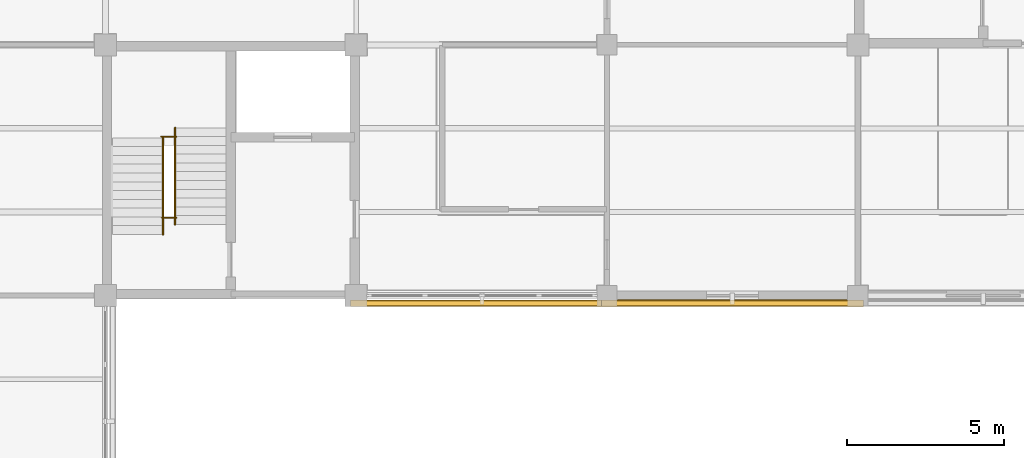
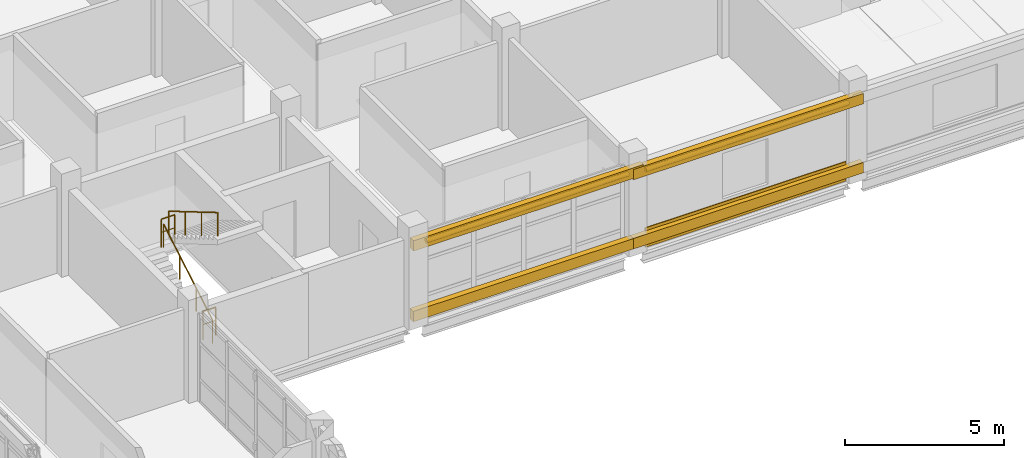
# One storey, part 85 of 92: 5 coverings, 4 railings, 2 shading devices.
"""IFC4 building model written with IfcOpenShell, lengths in metres."""

from ifc_helpers import new_model, si_unit, derived_unit, direction, frame, origin, origin_2d, place, context, subcontext, project, spatial, rectangle, circle, extrude, material, layer, layer_set, material_profile, profile_set, type_object, element, save


model = new_model("IFC4")

# Units and contexts
model_context = context("Model", 3, precision=1e-05, world=origin(), true_north=direction((0.0, 1.0)))
body_context = subcontext(model_context, "Body", "Model", "MODEL_VIEW")
ifc_project = project(units=[si_unit("LENGTHUNIT", "METRE"), si_unit("AREAUNIT", "SQUARE_METRE"), si_unit("VOLUMEUNIT", "CUBIC_METRE"), si_unit("PLANEANGLEUNIT", "RADIAN"), si_unit("MASSUNIT", "GRAM", prefix="KILO"), derived_unit("THERMALTRANSMITTANCEUNIT", [(si_unit("MASSUNIT", "GRAM", prefix="KILO"), 1), (si_unit("TIMEUNIT", "SECOND"), -3), (si_unit("THERMODYNAMICTEMPERATUREUNIT", "KELVIN"), -1)])], contexts=[model_context])

# Site, building, storey
site_placement = place(None, origin())
site = spatial("IfcSite", under=ifc_project, at=site_placement, CompositionType="ELEMENT")
building_placement = place(site_placement, origin())
building = spatial("IfcBuilding", under=site, at=building_placement, Name="Veyamyaing Civic Hall", CompositionType="ELEMENT")
storey_placement = place(building_placement, frame((0.0, 0.0, 17.820068359375)))
storey = spatial("IfcBuildingStorey", under=building, at=storey_placement, Name="L04", CompositionType="ELEMENT", Elevation=17.820068359375)

# Coverings
ifc_material_1 = material(Name="Turquoise glazed ceramic tile cladding", Category="masonry")
ifc_layer_1 = layer(ifc_material_1, 0.034912109375, Name="Turquoise glazed ceramic tile cladding")
ifc_layer_set_1 = layer_set([ifc_layer_1], Name="Turquoise glazed ceramic tile cladding")
covering_type_1 = type_object("IfcCoveringType", Name="CL-02", PredefinedType="CLADDING", material=ifc_layer_set_1)
covering_placement = place(storey_placement, frame((28.0, 87.846435546875, 0.044921875), z_axis=(0.0, 0.0, 1.0), x_axis=(1.0, 0.0, 0.0)))
element("IfcCovering", 1, at=covering_placement, inside=storey, type_object=covering_type_1, Name="Facade spandrel cladding CL-02 L04 S 4.12", PredefinedType="CLADDING", context=body_context, shape_type="SweptSolid", body=[
    extrude(rectangle(XDim=7.300048828125, YDim=0.034912109375, at=origin_2d()), origin(), (0.0, 0.0, 1.0), 0.75),
])
ifc_material_2 = material(Name="White powder-coated aluminium 6063-T6", Category="aluminium")
ifc_layer_2 = layer(ifc_material_2, 0.2099609375, Name="White powder-coated aluminium 6063-T6")
ifc_layer_set_2 = layer_set([ifc_layer_2], Name="White powder-coated aluminium 6063-T6")
covering_type_2 = type_object("IfcCoveringType", Name="CL-03", PredefinedType="CLADDING", material=ifc_layer_set_2)
for number, where, z_axis, x_axis, name in (
    (2, (20.0, 87.760009765625, 2.993896484375), (0.0, 0.0, 1.0), (1.0, 0.0, 0.0), "Continuous white head fascia ribbon CL-03 L04 S 3.12"),
    (3, (20.0, 87.760009765625, 0.280029296875), (0.0, 0.0, 1.0), (1.0, 0.0, 0.0), "Continuous white sill fascia ribbon CL-03 L04 S 3.12"),
    (4, (28.0, 87.760009765625, 2.93408203125), (0.0, 0.0, 1.0), (1.0, 0.0, 0.0), "Continuous white head fascia ribbon CL-03 L04 S 4.12"),
    (5, (28.0, 87.760009765625, 0.280029296875), (0.0, 0.0, 1.0), (1.0, 0.0, 0.0), "Continuous white sill fascia ribbon CL-03 L04 S 4.12"),
):
    element("IfcCovering", number, at=place(storey_placement, frame(where, z_axis=z_axis, x_axis=x_axis)), inside=storey, type_object=covering_type_2, Name=name, PredefinedType="CLADDING", context=body_context, shape_type="SweptSolid", body=[
        extrude(rectangle(XDim=8.360107421875, YDim=0.2099609375, at=origin_2d()), origin(), (0.0, 0.0, 1.0), 0.39990234375),
    ])

# Railings
ifc_material_3 = material(Name="Steel S355J2", Category="steel")
railing_type_1 = type_object("IfcRailingType", Name="RL-01", PredefinedType="BALUSTRADE", material=ifc_material_3)
railing_1_placement = place(storey_placement, frame((9.780029296875, 93.070068359375, 1.97998046875)))
element("IfcRailing", 6, at=railing_1_placement, inside=storey, type_object=railing_type_1, Name="Half-landing slot guard RL-01 ST-01 L04", PredefinedType="BALUSTRADE", context=body_context, shape_type="SweptSolid", body=[
    extrude(circle(Radius=0.02392578125, at=origin_2d()), frame((0.0, 0.0, 1.076171875), z_axis=(1.0, 0.0, 0.0), x_axis=(0.0, 1.0, 0.0)), (0.0, 0.0, 1.0), 0.489990234375),
    extrude(circle(Radius=0.01416015625, at=origin_2d()), frame((0.0, 0.0, 0.572021484375), z_axis=(1.0, 0.0, 0.0), x_axis=(0.0, 1.0, 0.0)), (0.0, 0.0, 1.0), 0.489990234375),
    extrude(circle(Radius=0.02099609375, at=origin_2d()), origin(), (0.0, 0.0, 1.0), 1.052001953125),
    extrude(circle(Radius=0.02099609375, at=origin_2d()), frame((0.489990234375, 0.0, 0.0)), (0.0, 0.0, 1.0), 1.052001953125),
])
railing_2_placement = place(storey_placement, frame((9.800048828125, 90.47998046875, 0.0)))
element("IfcRailing", 7, at=railing_2_placement, inside=storey, type_object=railing_type_1, Name="Floor-landing slot guard RL-01 ST-01 L04", PredefinedType="BALUSTRADE", context=body_context, shape_type="SweptSolid", body=[
    extrude(circle(Radius=0.02392578125, at=origin_2d()), frame((0.0, 0.0, 1.076171875), z_axis=(1.0, 0.0, 0.0), x_axis=(0.0, 1.0, 0.0)), (0.0, 0.0, 1.0), 0.469970703125),
    extrude(circle(Radius=0.01416015625, at=origin_2d()), frame((0.0, 0.0, 0.572021484375), z_axis=(1.0, 0.0, 0.0), x_axis=(0.0, 1.0, 0.0)), (0.0, 0.0, 1.0), 0.469970703125),
    extrude(circle(Radius=0.02099609375, at=origin_2d()), origin(), (0.0, 0.0, 1.0), 1.052001953125),
    extrude(circle(Radius=0.02099609375, at=origin_2d()), frame((0.469970703125, 0.0, 0.0)), (0.0, 0.0, 1.0), 1.052001953125),
])
railing_type_2 = type_object("IfcRailingType", Name="RL-02", PredefinedType="HANDRAIL", material=ifc_material_3)
railing_3_placement = place(storey_placement, frame((9.840087890625, 89.949951171875, 0.1650390625)))
element("IfcRailing", 8, at=railing_3_placement, inside=storey, type_object=railing_type_2, Name="Stair pitch handrail RL-02 ST-01 L04.1", PredefinedType="HANDRAIL", context=body_context, shape_type="SweptSolid", body=[
    extrude(circle(Radius=0.02392578125, at=origin_2d()), frame((0.0, 0.0, 0.89599609375), z_axis=(0.0, 0.861551262678, 0.507670583921), x_axis=(-1.0, 0.0, 0.0)), (0.0, 0.0, 1.0), 3.574951171875),
    extrude(circle(Radius=0.02099609375, at=origin_2d()), origin(), (0.0, 0.0, 1.0), 0.871826171875),
    extrude(circle(Radius=0.02099609375, at=origin_2d()), frame((0.0, 1.026611328125, 0.60498046875)), (0.0, 0.0, 1.0), 0.871826171875),
    extrude(circle(Radius=0.02099609375, at=origin_2d()), frame((0.0, 2.053466796875, 1.2099609375)), (0.0, 0.0, 1.0), 0.871826171875),
    extrude(circle(Radius=0.02099609375, at=origin_2d()), frame((0.0, 3.080078125, 1.81494140625)), (0.0, 0.0, 1.0), 0.871826171875),
])
railing_4_placement = place(storey_placement, frame((10.219970703125, 93.35009765625, 2.14501953125)))
element("IfcRailing", 9, at=railing_4_placement, inside=storey, type_object=railing_type_2, Name="Stair pitch handrail RL-02 ST-01 L04.2", PredefinedType="HANDRAIL", context=body_context, shape_type="SweptSolid", body=[
    extrude(circle(Radius=0.02392578125, at=origin_2d()), frame((0.0, 0.0, 0.89599609375), z_axis=(0.0, -0.861551262678, 0.507670583921), x_axis=(1.0, 0.0, 0.0)), (0.0, 0.0, 1.0), 3.574951171875),
    extrude(circle(Radius=0.02099609375, at=origin_2d()), origin(), (0.0, 0.0, 1.0), 0.871826171875),
    extrude(circle(Radius=0.02099609375, at=origin_2d()), frame((0.0, -1.026611328125, 0.60498046875)), (0.0, 0.0, 1.0), 0.871826171875),
    extrude(circle(Radius=0.02099609375, at=origin_2d()), frame((0.0, -2.053466796875, 1.2099609375)), (0.0, 0.0, 1.0), 0.871826171875),
    extrude(circle(Radius=0.02099609375, at=origin_2d()), frame((0.0, -3.080078125, 1.81494140625)), (0.0, 0.0, 1.0), 0.871826171875),
])

# Shading devices
ifc_material_profile = material_profile(ifc_material_2, circle(Radius=0.090087890625, at=origin_2d()), Name="SHADE-TUBE-180")
ifc_profile_set = profile_set([ifc_material_profile], Name="White powder-coated aluminium 6063-T6")
shading_device_type = type_object("IfcShadingDeviceType", Name="SH-02", PredefinedType="USERDEFINED", material=ifc_profile_set)
shading_device_1_placement = place(storey_placement, frame((16.3349609375, 87.760009765625, 3.154052734375), z_axis=(1.0, 0.0, 0.0), x_axis=(0.0, 1.0, 0.0)))
element("IfcShadingDevice", 10, at=shading_device_1_placement, inside=storey, type_object=shading_device_type, Name="Horizontal white sunshade ribbon SH-02 L04 S 3.12", ObjectType="SUNSHADE", PredefinedType="USERDEFINED", context=body_context, shape_type="SweptSolid", body=[
    extrude(circle(Radius=0.090087890625, at=origin_2d()), origin(), (0.0, 0.0, 1.0), 7.35498046875),
])
shading_device_2_placement = place(storey_placement, frame((24.31005859375, 87.760009765625, 3.093994140625), z_axis=(1.0, 0.0, 0.0), x_axis=(0.0, 1.0, 0.0)))
element("IfcShadingDevice", 11, at=shading_device_2_placement, inside=storey, type_object=shading_device_type, Name="Horizontal white sunshade ribbon SH-02 L04 S 4.12", ObjectType="SUNSHADE", PredefinedType="USERDEFINED", context=body_context, shape_type="SweptSolid", body=[
    extrude(circle(Radius=0.090087890625, at=origin_2d()), origin(), (0.0, 0.0, 1.0), 7.3798828125),
])

save(model, "model.ifc")
